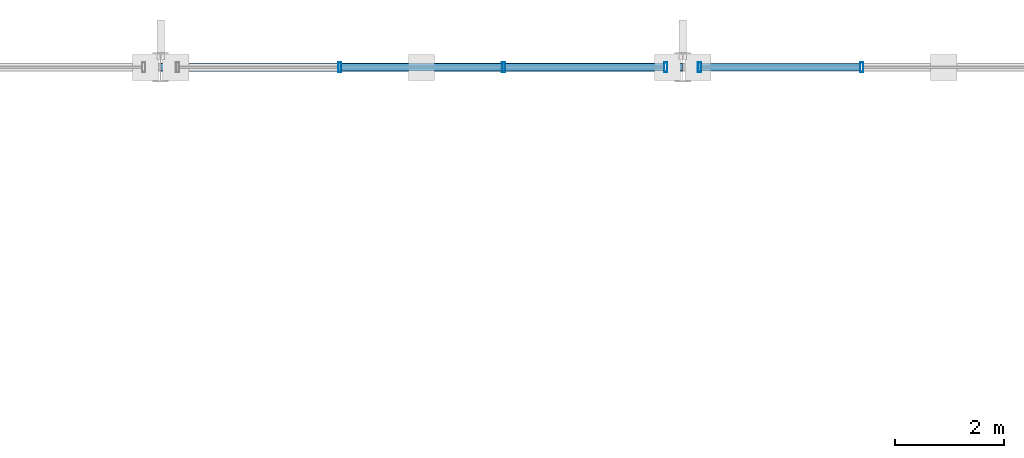
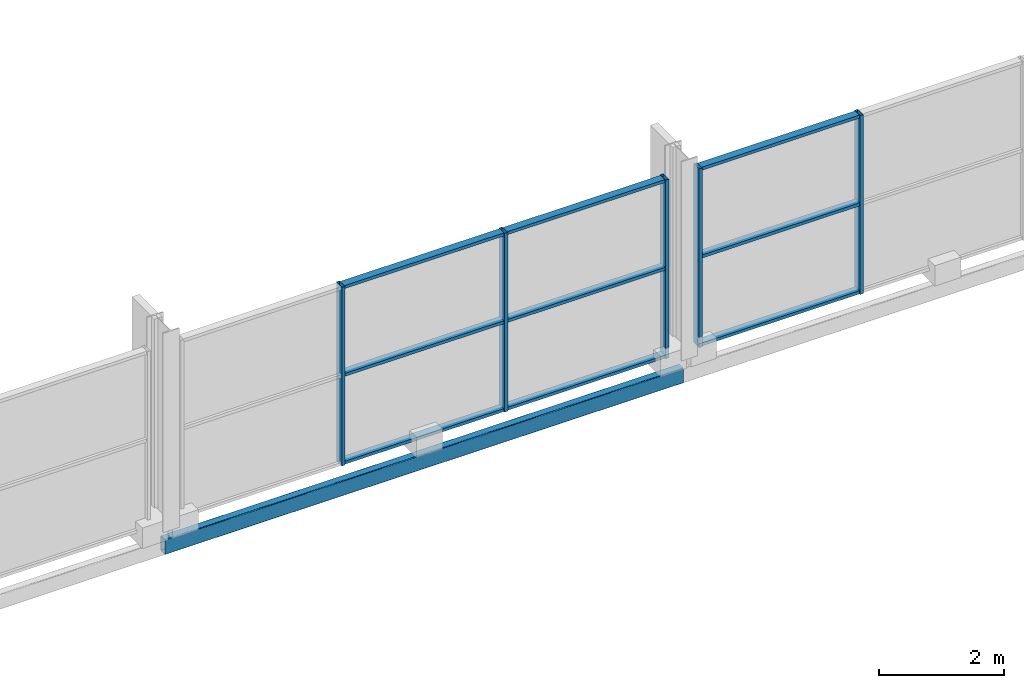
# One storey, part 61 of 117: 14 members, 1 beam, 2 elements without a shape of their own.
"""IFC4 building model written with IfcOpenShell, lengths in metres."""

from ifc_helpers import new_model, si_unit, direction, frame, origin, origin_2d, place, context, subcontext, project, spatial, hollow_rectangle, extrude, material, material_profile, profile_set, type_object, element, aggregate, save


model = new_model("IFC4")

# Units and contexts
model_context = context("Model", 3, precision=1e-05, world=origin(), true_north=direction((0.0, 1.0)))
body_context = subcontext(model_context, "Body", "Model", "MODEL_VIEW")
ifc_project = project(units=[si_unit("LENGTHUNIT", "METRE"), si_unit("AREAUNIT", "SQUARE_METRE"), si_unit("VOLUMEUNIT", "CUBIC_METRE"), si_unit("PLANEANGLEUNIT", "RADIAN"), si_unit("MASSUNIT", "GRAM", prefix="KILO")], contexts=[model_context])

# Site, building, storey
site_placement = place(None, origin())
site = spatial("IfcSite", under=ifc_project, at=site_placement, CompositionType="ELEMENT")
building_placement = place(site_placement, origin())
building = spatial("IfcBuilding", under=site, at=building_placement, Name="Merenkruunu Market Hall", CompositionType="ELEMENT")
storey_placement = place(building_placement, frame((0.0, 0.0, 10.199951171875)))
storey = spatial("IfcBuildingStorey", under=building, at=storey_placement, Name="L02", CompositionType="ELEMENT", Elevation=10.199951171875)

# Curtain wall, members
ifc_material_1 = material(Name="Powder-coated aluminium", Category="aluminium")
curtain_wall_type = type_object("IfcCurtainWallType", Name="Glazed Curtain Wall CW10", PredefinedType="USERDEFINED", material=ifc_material_1)
curtain_wall_1_placement = place(storey_placement, origin())
curtain_wall_1 = element("IfcCurtainWall", 1, at=curtain_wall_1_placement, inside=storey, type_object=curtain_wall_type, Name="CW-L02-CWM02-061", ObjectType="GLAZED_FACADE", PredefinedType="USERDEFINED")
ifc_material_profile_1 = material_profile(ifc_material_1, hollow_rectangle(XDim=0.06005859375, YDim=0.179931640625, WallThickness=0.00390625, at=origin_2d()), Name="ALU 60x180x4")
ifc_profile_set_1 = profile_set([ifc_material_profile_1], Name="Powder-coated aluminium")
member_type_1 = type_object("IfcMemberType", Name="Curtain Wall Mullion CWM02", PredefinedType="MULLION", material=ifc_profile_set_1)
member_1_placement = place(storey_placement, frame((32.09326171875, 111.60009765625, 0.0), z_axis=(0.0, 0.0, 1.0), x_axis=(1.0, 0.0, 0.0)))
member_1 = element("IfcMember", 2, at=member_1_placement, type_object=member_type_1, Name="CW10 mullion 2", PredefinedType="MULLION", context=body_context, shape_type="SweptSolid", body=[
    extrude(hollow_rectangle(XDim=0.06005859375, YDim=0.179931640625, WallThickness=0.00390625, at=origin_2d()), origin(), (0.0, 0.0, 1.0), 3.5),
])
member_2_placement = place(storey_placement, frame((35.106689453125, 111.60009765625, 0.0), z_axis=(0.0, 0.0, 1.0), x_axis=(1.0, 0.0, 0.0)))
member_2 = element("IfcMember", 3, at=member_2_placement, type_object=member_type_1, Name="CW10 mullion 3", PredefinedType="MULLION", context=body_context, shape_type="SweptSolid", body=[
    extrude(hollow_rectangle(XDim=0.06005859375, YDim=0.179931640625, WallThickness=0.00390625, at=origin_2d()), origin(), (0.0, 0.0, 1.0), 3.5),
])
member_3_placement = place(storey_placement, frame((38.090087890625, 111.60009765625, 0.0), z_axis=(0.0, 0.0, 1.0), x_axis=(1.0, 0.0, 0.0)))
member_3 = element("IfcMember", 4, at=member_3_placement, type_object=member_type_1, Name="CW10 mullion 4", PredefinedType="MULLION", context=body_context, shape_type="SweptSolid", body=[
    extrude(hollow_rectangle(XDim=0.06005859375, YDim=0.179931640625, WallThickness=0.00390625, at=origin_2d()), origin(), (0.0, 0.0, 1.0), 3.5),
])

curtain_wall_2_placement = place(storey_placement, origin())
curtain_wall_2 = element("IfcCurtainWall", 5, at=curtain_wall_2_placement, inside=storey, type_object=curtain_wall_type, Name="CW-L02-CWM02-064", ObjectType="GLAZED_FACADE", PredefinedType="USERDEFINED")
member_4_placement = place(storey_placement, frame((38.7099609375, 111.60009765625, 0.0), z_axis=(0.0, 0.0, 1.0), x_axis=(1.0, 0.0, 0.0)))
member_4 = element("IfcMember", 6, at=member_4_placement, type_object=member_type_1, Name="CW10 mullion 1", PredefinedType="MULLION", context=body_context, shape_type="SweptSolid", body=[
    extrude(hollow_rectangle(XDim=0.06005859375, YDim=0.179931640625, WallThickness=0.00390625, at=origin_2d()), origin(), (0.0, 0.0, 1.0), 3.5),
])
member_5_placement = place(storey_placement, frame((41.693359375, 111.60009765625, 0.0), z_axis=(0.0, 0.0, 1.0), x_axis=(1.0, 0.0, 0.0)))
member_5 = element("IfcMember", 7, at=member_5_placement, type_object=member_type_1, Name="CW10 mullion 2", PredefinedType="MULLION", context=body_context, shape_type="SweptSolid", body=[
    extrude(hollow_rectangle(XDim=0.06005859375, YDim=0.179931640625, WallThickness=0.00390625, at=origin_2d()), origin(), (0.0, 0.0, 1.0), 3.5),
])

# Member
ifc_material_profile_2 = material_profile(ifc_material_1, hollow_rectangle(XDim=0.06005859375, YDim=0.139892578125, WallThickness=0.00390625, at=origin_2d()), Name="ALU 60x140x4")
ifc_profile_set_2 = profile_set([ifc_material_profile_2], Name="Powder-coated aluminium")
member_type_2 = type_object("IfcMemberType", Name="Curtain Wall Transom CWT02", PredefinedType="USERDEFINED", material=ifc_profile_set_2)
member_6_placement = place(storey_placement, frame((32.123291015625, 111.60009765625, 0.030029296875), z_axis=(1.0, 0.0, 0.0), x_axis=(0.0, 0.0, 1.0)))
member_6 = element("IfcMember", 8, at=member_6_placement, type_object=member_type_2, Name="CW10 transom 2.1", ObjectType="TRANSOM", PredefinedType="USERDEFINED", context=body_context, shape_type="SweptSolid", body=[
    extrude(hollow_rectangle(XDim=0.06005859375, YDim=0.139892578125, WallThickness=0.00390625, at=origin_2d()), origin(), (0.0, 0.0, 1.0), 2.953369140625),
])

member_7_placement = place(storey_placement, frame((32.123291015625, 111.60009765625, 1.75), z_axis=(1.0, 0.0, 0.0), x_axis=(0.0, 0.0, 1.0)))
member_7 = element("IfcMember", 9, at=member_7_placement, type_object=member_type_2, Name="CW10 transom 2.2", ObjectType="TRANSOM", PredefinedType="USERDEFINED", context=body_context, shape_type="SweptSolid", body=[
    extrude(hollow_rectangle(XDim=0.06005859375, YDim=0.139892578125, WallThickness=0.00390625, at=origin_2d()), origin(), (0.0, 0.0, 1.0), 2.953369140625),
])

member_8_placement = place(storey_placement, frame((32.123291015625, 111.60009765625, 3.469970703125), z_axis=(1.0, 0.0, 0.0), x_axis=(0.0, 0.0, 1.0)))
member_8 = element("IfcMember", 10, at=member_8_placement, type_object=member_type_2, Name="CW10 transom 2.3", ObjectType="TRANSOM", PredefinedType="USERDEFINED", context=body_context, shape_type="SweptSolid", body=[
    extrude(hollow_rectangle(XDim=0.06005859375, YDim=0.139892578125, WallThickness=0.00390625, at=origin_2d()), origin(), (0.0, 0.0, 1.0), 2.953369140625),
])

member_9_placement = place(storey_placement, frame((35.13671875, 111.60009765625, 0.030029296875), z_axis=(1.0, 0.0, 0.0), x_axis=(0.0, 0.0, 1.0)))
member_9 = element("IfcMember", 11, at=member_9_placement, type_object=member_type_2, Name="CW10 transom 3.1", ObjectType="TRANSOM", PredefinedType="USERDEFINED", context=body_context, shape_type="SweptSolid", body=[
    extrude(hollow_rectangle(XDim=0.06005859375, YDim=0.139892578125, WallThickness=0.00390625, at=origin_2d()), origin(), (0.0, 0.0, 1.0), 2.92333984375),
])

member_10_placement = place(storey_placement, frame((35.13671875, 111.60009765625, 1.75), z_axis=(1.0, 0.0, 0.0), x_axis=(0.0, 0.0, 1.0)))
member_10 = element("IfcMember", 12, at=member_10_placement, type_object=member_type_2, Name="CW10 transom 3.2", ObjectType="TRANSOM", PredefinedType="USERDEFINED", context=body_context, shape_type="SweptSolid", body=[
    extrude(hollow_rectangle(XDim=0.06005859375, YDim=0.139892578125, WallThickness=0.00390625, at=origin_2d()), origin(), (0.0, 0.0, 1.0), 2.92333984375),
])

member_11_placement = place(storey_placement, frame((35.13671875, 111.60009765625, 3.469970703125), z_axis=(1.0, 0.0, 0.0), x_axis=(0.0, 0.0, 1.0)))
member_11 = element("IfcMember", 13, at=member_11_placement, type_object=member_type_2, Name="CW10 transom 3.3", ObjectType="TRANSOM", PredefinedType="USERDEFINED", context=body_context, shape_type="SweptSolid", body=[
    extrude(hollow_rectangle(XDim=0.06005859375, YDim=0.139892578125, WallThickness=0.00390625, at=origin_2d()), origin(), (0.0, 0.0, 1.0), 2.92333984375),
])

aggregate(curtain_wall_1, [member_1, member_2, member_3, member_6, member_7, member_8, member_9, member_10, member_11])

member_12_placement = place(storey_placement, frame((38.739990234375, 111.60009765625, 0.030029296875), z_axis=(1.0, 0.0, 0.0), x_axis=(0.0, 0.0, 1.0)))
member_12 = element("IfcMember", 14, at=member_12_placement, type_object=member_type_2, Name="CW10 transom 1.1", ObjectType="TRANSOM", PredefinedType="USERDEFINED", context=body_context, shape_type="SweptSolid", body=[
    extrude(hollow_rectangle(XDim=0.06005859375, YDim=0.139892578125, WallThickness=0.00390625, at=origin_2d()), origin(), (0.0, 0.0, 1.0), 2.92333984375),
])

member_13_placement = place(storey_placement, frame((38.739990234375, 111.60009765625, 1.75), z_axis=(1.0, 0.0, 0.0), x_axis=(0.0, 0.0, 1.0)))
member_13 = element("IfcMember", 15, at=member_13_placement, type_object=member_type_2, Name="CW10 transom 1.2", ObjectType="TRANSOM", PredefinedType="USERDEFINED", context=body_context, shape_type="SweptSolid", body=[
    extrude(hollow_rectangle(XDim=0.06005859375, YDim=0.139892578125, WallThickness=0.00390625, at=origin_2d()), origin(), (0.0, 0.0, 1.0), 2.92333984375),
])

member_14_placement = place(storey_placement, frame((38.739990234375, 111.60009765625, 3.469970703125), z_axis=(1.0, 0.0, 0.0), x_axis=(0.0, 0.0, 1.0)))
member_14 = element("IfcMember", 16, at=member_14_placement, type_object=member_type_2, Name="CW10 transom 1.3", ObjectType="TRANSOM", PredefinedType="USERDEFINED", context=body_context, shape_type="SweptSolid", body=[
    extrude(hollow_rectangle(XDim=0.06005859375, YDim=0.139892578125, WallThickness=0.00390625, at=origin_2d()), origin(), (0.0, 0.0, 1.0), 2.92333984375),
])

aggregate(curtain_wall_2, [member_4, member_5, member_12, member_13, member_14])

# Beam
ifc_material_2 = material(Name="Steel S355J2", Category="steel")
ifc_material_profile_3 = material_profile(ifc_material_2, hollow_rectangle(XDim=0.14990234375, YDim=0.300048828125, WallThickness=0.012451171875, InnerFilletRadius=0.012451171875, OuterFilletRadius=0.02490234375, at=origin_2d()), Name="RHS 300x150x12.5")
ifc_profile_set_3 = profile_set([ifc_material_profile_3], Name="Steel S355J2")
beam_type = type_object("IfcBeamType", Name="Perimeter Spandrel Beam SP03", PredefinedType="SPANDREL", material=ifc_profile_set_3)
beam_placement = place(storey_placement, frame((28.800048828125, 111.60009765625, -0.4599609375), z_axis=(1.0, 0.0, 0.0), x_axis=(0.0, 1.0, 0.0)))
element("IfcBeam", 17, at=beam_placement, inside=storey, type_object=beam_type, Name="BM-L02-SP03-1251", PredefinedType="SPANDREL", context=body_context, shape_type="SweptSolid", body=[
    extrude(hollow_rectangle(XDim=0.14990234375, YDim=0.300048828125, WallThickness=0.012451171875, InnerFilletRadius=0.012451171875, OuterFilletRadius=0.02490234375, at=origin_2d()), origin(), (0.0, 0.0, 1.0), 9.599853515625),
])

save(model, "model.ifc")
